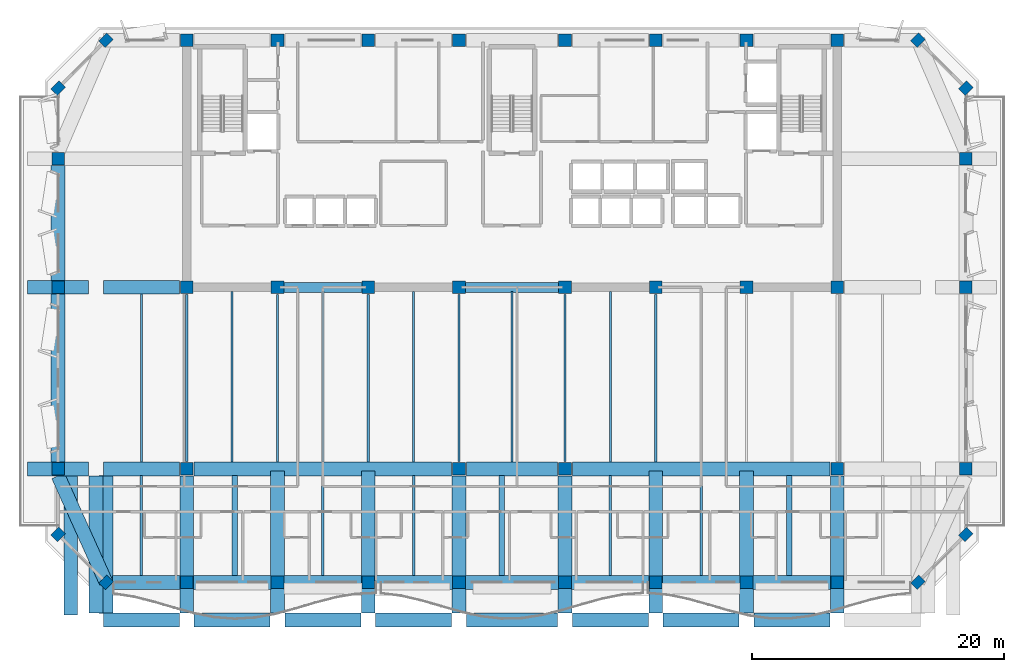
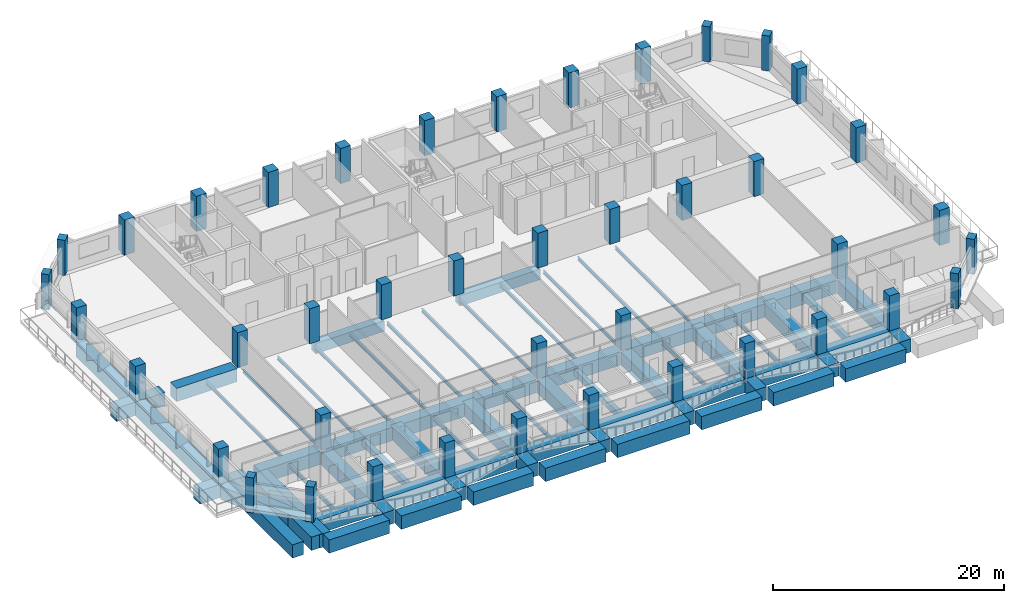
# One storey, part 1 of 13: 59 beams, 42 columns.
"""IFC4 building model written with IfcOpenShell, lengths in metres."""

from ifc_helpers import new_model, si_unit, direction, frame, origin, origin_2d, place, context, subcontext, project, spatial, rectangle, i_section, extrude, material, material_profile, profile_set, type_object, element, save


model = new_model("IFC4")

# Units and contexts
model_context = context("Model", 3, precision=1e-05, world=origin(), true_north=direction((0.0, 1.0)))
body_context = subcontext(model_context, "Body", "Model", "MODEL_VIEW")
ifc_project = project(units=[si_unit("LENGTHUNIT", "METRE"), si_unit("AREAUNIT", "SQUARE_METRE"), si_unit("VOLUMEUNIT", "CUBIC_METRE"), si_unit("PLANEANGLEUNIT", "RADIAN"), si_unit("MASSUNIT", "GRAM", prefix="KILO")], contexts=[model_context])

# Site, building, storey
site_placement = place(None, origin())
site = spatial("IfcSite", under=ifc_project, at=site_placement, CompositionType="ELEMENT")
building_placement = place(site_placement, origin())
building = spatial("IfcBuilding", under=site, at=building_placement, Name="Kaelvorn Grand Hotel", CompositionType="ELEMENT")
storey_placement = place(building_placement, frame((0.0, 0.0, 229.14990234375)))
storey = spatial("IfcBuildingStorey", under=building, at=storey_placement, Name="L56", CompositionType="ELEMENT", Elevation=229.14990234375)

# Columns
ifc_material_1 = material(Name="Concrete C60/75", Category="concrete")
ifc_material_profile_1 = material_profile(ifc_material_1, rectangle(XDim=0.89990234375, YDim=0.75, at=origin_2d()), Name="RC PILASTER 900x750")
ifc_profile_set_1 = profile_set([ifc_material_profile_1], Name="Concrete C60/75")
column_type_1 = type_object("IfcColumnType", Name="COL-PIL-900x750-C60", PredefinedType="PILASTER", material=ifc_profile_set_1)
for number, where, z_axis, x_axis, name in (
    (1, (9.800048828125, 6.0, 0.0), (0.0, 0.0, 1.0), (0.707106781187, 0.707106781187, 0.0), "L56 Structural Column CH-01"),
    (2, (74.199951171875, 6.0, 0.0), (0.0, 0.0, 1.0), (0.707106781187, 0.707106781187, 0.0), "L56 Structural Column CH-02"),
    (3, (78.0, 9.800048828125, 0.0), (0.0, 0.0, 1.0), (0.707106781187, 0.707106781187, 0.0), "L56 Structural Column CH-03"),
    (4, (78.0, 45.199951171875, 0.0), (0.0, 0.0, 1.0), (0.707106781187, 0.707106781187, 0.0), "L56 Structural Column CH-04"),
    (5, (74.199951171875, 49.0, 0.0), (0.0, 0.0, 1.0), (0.707106781187, 0.707106781187, 0.0), "L56 Structural Column CH-05"),
    (6, (9.800048828125, 49.0, 0.0), (0.0, 0.0, 1.0), (0.707106781187, 0.707106781187, 0.0), "L56 Structural Column CH-06"),
    (7, (6.0, 45.199951171875, 0.0), (0.0, 0.0, 1.0), (0.707106781187, 0.707106781187, 0.0), "L56 Structural Column CH-07"),
    (8, (6.0, 9.800048828125, 0.0), (0.0, 0.0, 1.0), (0.707106781187, 0.707106781187, 0.0), "L56 Structural Column CH-08"),
):
    element("IfcColumn", number, at=place(storey_placement, frame(where, z_axis=z_axis, x_axis=x_axis)), inside=storey, type_object=column_type_1, Name=name, PredefinedType="PILASTER", context=body_context, shape_type="SweptSolid", body=[
        extrude(rectangle(XDim=0.89990234375, YDim=0.75, at=origin_2d()), origin(), (0.0, 0.0, 1.0), 3.710205078125),
    ])
ifc_material_2 = material(Name="Concrete C50/60", Category="concrete")
ifc_material_profile_2 = material_profile(ifc_material_2, rectangle(XDim=1.0, YDim=1.0, at=origin_2d()), Name="RC COL 1000x1000")
ifc_profile_set_2 = profile_set([ifc_material_profile_2], Name="Concrete C50/60")
column_type_2 = type_object("IfcColumnType", Name="COL-RC-1000-C50", PredefinedType="COLUMN", material=ifc_profile_set_2)
for number, where, z_axis, x_axis, name in (
    (9, (16.199951171875, 6.0, 0.0), (0.0, 0.0, 1.0), (1.0, 0.0, 0.0), "L56 Structural Column S-01"),
    (10, (23.39990234375, 6.0, 0.0), (0.0, 0.0, 1.0), (1.0, 0.0, 0.0), "L56 Structural Column S-02"),
    (11, (30.60009765625, 6.0, 0.0), (0.0, 0.0, 1.0), (1.0, 0.0, 0.0), "L56 Structural Column S-03"),
    (12, (37.800048828125, 6.0, 0.0), (0.0, 0.0, 1.0), (1.0, 0.0, 0.0), "L56 Structural Column S-04"),
    (13, (46.199951171875, 6.0, 0.0), (0.0, 0.0, 1.0), (1.0, 0.0, 0.0), "L56 Structural Column S-05"),
    (14, (53.39990234375, 6.0, 0.0), (0.0, 0.0, 1.0), (1.0, 0.0, 0.0), "L56 Structural Column S-06"),
    (15, (60.60009765625, 6.0, 0.0), (0.0, 0.0, 1.0), (1.0, 0.0, 0.0), "L56 Structural Column S-07"),
    (16, (67.800048828125, 6.0, 0.0), (0.0, 0.0, 1.0), (1.0, 0.0, 0.0), "L56 Structural Column S-08"),
    (17, (6.0, 15.0, 0.0), (0.0, 0.0, 1.0), (1.0, 0.0, 0.0), "L56 Structural Column W-01"),
    (18, (78.0, 15.0, 0.0), (0.0, 0.0, 1.0), (1.0, 0.0, 0.0), "L56 Structural Column E-01"),
    (19, (6.0, 29.39990234375, 0.0), (0.0, 0.0, 1.0), (1.0, 0.0, 0.0), "L56 Structural Column W-02"),
    (20, (78.0, 29.39990234375, 0.0), (0.0, 0.0, 1.0), (1.0, 0.0, 0.0), "L56 Structural Column E-02"),
    (21, (6.0, 39.60009765625, 0.0), (0.0, 0.0, 1.0), (1.0, 0.0, 0.0), "L56 Structural Column W-03"),
    (22, (78.0, 39.60009765625, 0.0), (0.0, 0.0, 1.0), (1.0, 0.0, 0.0), "L56 Structural Column E-03"),
    (23, (16.199951171875, 15.0, 0.0), (0.0, 0.0, 1.0), (1.0, 0.0, 0.0), "L56 Structural Column M-01"),
    (24, (37.800048828125, 15.0, 0.0), (0.0, 0.0, 1.0), (1.0, 0.0, 0.0), "L56 Structural Column M-02"),
    (25, (46.199951171875, 15.0, 0.0), (0.0, 0.0, 1.0), (1.0, 0.0, 0.0), "L56 Structural Column M-03"),
    (26, (67.800048828125, 15.0, 0.0), (0.0, 0.0, 1.0), (1.0, 0.0, 0.0), "L56 Structural Column M-04"),
    (27, (16.199951171875, 29.39990234375, 0.0), (0.0, 0.0, 1.0), (1.0, 0.0, 0.0), "L56 Structural Column CR1-01"),
    (28, (16.199951171875, 49.0, 0.0), (0.0, 0.0, 1.0), (1.0, 0.0, 0.0), "L56 Structural Column CR2-01"),
    (29, (23.39990234375, 29.39990234375, 0.0), (0.0, 0.0, 1.0), (1.0, 0.0, 0.0), "L56 Structural Column CR1-02"),
    (30, (23.39990234375, 49.0, 0.0), (0.0, 0.0, 1.0), (1.0, 0.0, 0.0), "L56 Structural Column CR2-02"),
    (31, (30.60009765625, 29.39990234375, 0.0), (0.0, 0.0, 1.0), (1.0, 0.0, 0.0), "L56 Structural Column CR1-03"),
    (32, (30.60009765625, 49.0, 0.0), (0.0, 0.0, 1.0), (1.0, 0.0, 0.0), "L56 Structural Column CR2-03"),
    (33, (37.800048828125, 29.39990234375, 0.0), (0.0, 0.0, 1.0), (1.0, 0.0, 0.0), "L56 Structural Column CR1-04"),
    (34, (37.800048828125, 49.0, 0.0), (0.0, 0.0, 1.0), (1.0, 0.0, 0.0), "L56 Structural Column CR2-04"),
    (35, (46.199951171875, 29.39990234375, 0.0), (0.0, 0.0, 1.0), (1.0, 0.0, 0.0), "L56 Structural Column CR1-05"),
    (36, (46.199951171875, 49.0, 0.0), (0.0, 0.0, 1.0), (1.0, 0.0, 0.0), "L56 Structural Column CR2-05"),
    (37, (53.39990234375, 29.39990234375, 0.0), (0.0, 0.0, 1.0), (1.0, 0.0, 0.0), "L56 Structural Column CR1-06"),
    (38, (53.39990234375, 49.0, 0.0), (0.0, 0.0, 1.0), (1.0, 0.0, 0.0), "L56 Structural Column CR2-06"),
    (39, (60.60009765625, 29.39990234375, 0.0), (0.0, 0.0, 1.0), (1.0, 0.0, 0.0), "L56 Structural Column CR1-07"),
    (40, (60.60009765625, 49.0, 0.0), (0.0, 0.0, 1.0), (1.0, 0.0, 0.0), "L56 Structural Column CR2-07"),
    (41, (67.800048828125, 29.39990234375, 0.0), (0.0, 0.0, 1.0), (1.0, 0.0, 0.0), "L56 Structural Column CR1-08"),
    (42, (67.800048828125, 49.0, 0.0), (0.0, 0.0, 1.0), (1.0, 0.0, 0.0), "L56 Structural Column CR2-08"),
):
    element("IfcColumn", number, at=place(storey_placement, frame(where, z_axis=z_axis, x_axis=x_axis)), inside=storey, type_object=column_type_2, Name=name, PredefinedType="COLUMN", context=body_context, shape_type="SweptSolid", body=[
        extrude(rectangle(XDim=1.0, YDim=1.0, at=origin_2d()), origin(), (0.0, 0.0, 1.0), 3.710205078125),
    ])

# Beams
ifc_material_3 = material(Name="Steel S355", Category="steel")
ifc_material_profile_3 = material_profile(ifc_material_3, i_section(OverallWidth=0.169921875, OverallDepth=0.360107421875, WebThickness=0.008056640625, FlangeThickness=0.0126953125, FilletRadius=0.01806640625, at=origin_2d()), Name="IPE 360")
ifc_profile_set_3 = profile_set([ifc_material_profile_3], Name="Steel S355")
beam_type_1 = type_object("IfcBeamType", Name="BM-J-IPE360-S355", PredefinedType="JOIST", material=ifc_profile_set_3)
beam_1_placement = place(storey_placement, frame((12.60009765625, 15.534912109375, -0.419921875), z_axis=(0.0, 1.0, 0.0), x_axis=(-1.0, 0.0, 0.0)))
element("IfcBeam", 43, at=beam_1_placement, inside=storey, type_object=beam_type_1, Name="L56 Composite Floor Joist JM-04", PredefinedType="JOIST", context=body_context, shape_type="SweptSolid", body=[
    extrude(i_section(OverallWidth=0.169921875, OverallDepth=0.360107421875, WebThickness=0.008056640625, FlangeThickness=0.0126953125, FilletRadius=0.01806640625, at=origin_2d()), origin(), (0.0, 0.0, 1.0), 13.330078125),
])
beam_2_placement = place(storey_placement, frame((16.199951171875, 15.5849609375, -0.419921875), z_axis=(0.0, 1.0, 0.0), x_axis=(-1.0, 0.0, 0.0)))
element("IfcBeam", 44, at=beam_2_placement, inside=storey, type_object=beam_type_1, Name="L56 Composite Floor Joist JM-05", PredefinedType="JOIST", context=body_context, shape_type="SweptSolid", body=[
    extrude(i_section(OverallWidth=0.169921875, OverallDepth=0.360107421875, WebThickness=0.008056640625, FlangeThickness=0.0126953125, FilletRadius=0.01806640625, at=origin_2d()), origin(), (0.0, 0.0, 1.0), 13.22998046875),
])
beam_3_placement = place(storey_placement, frame((19.800048828125, 15.534912109375, -0.419921875), z_axis=(0.0, 1.0, 0.0), x_axis=(-1.0, 0.0, 0.0)))
element("IfcBeam", 45, at=beam_3_placement, inside=storey, type_object=beam_type_1, Name="L56 Composite Floor Joist JM-06", PredefinedType="JOIST", context=body_context, shape_type="SweptSolid", body=[
    extrude(i_section(OverallWidth=0.169921875, OverallDepth=0.360107421875, WebThickness=0.008056640625, FlangeThickness=0.0126953125, FilletRadius=0.01806640625, at=origin_2d()), origin(), (0.0, 0.0, 1.0), 13.525146484375),
])
beam_4_placement = place(storey_placement, frame((23.39990234375, 15.534912109375, -0.419921875), z_axis=(0.0, 1.0, 0.0), x_axis=(-1.0, 0.0, 0.0)))
element("IfcBeam", 46, at=beam_4_placement, inside=storey, type_object=beam_type_1, Name="L56 Composite Floor Joist JM-07", PredefinedType="JOIST", context=body_context, shape_type="SweptSolid", body=[
    extrude(i_section(OverallWidth=0.169921875, OverallDepth=0.360107421875, WebThickness=0.008056640625, FlangeThickness=0.0126953125, FilletRadius=0.01806640625, at=origin_2d()), origin(), (0.0, 0.0, 1.0), 13.280029296875),
])
beam_5_placement = place(storey_placement, frame((27.0, 15.534912109375, -0.419921875), z_axis=(0.0, 1.0, 0.0), x_axis=(-1.0, 0.0, 0.0)))
element("IfcBeam", 47, at=beam_5_placement, inside=storey, type_object=beam_type_1, Name="L56 Composite Floor Joist JM-08", PredefinedType="JOIST", context=body_context, shape_type="SweptSolid", body=[
    extrude(i_section(OverallWidth=0.169921875, OverallDepth=0.360107421875, WebThickness=0.008056640625, FlangeThickness=0.0126953125, FilletRadius=0.01806640625, at=origin_2d()), origin(), (0.0, 0.0, 1.0), 13.525146484375),
])
beam_6_placement = place(storey_placement, frame((30.60009765625, 15.534912109375, -0.419921875), z_axis=(0.0, 1.0, 0.0), x_axis=(-1.0, 0.0, 0.0)))
element("IfcBeam", 48, at=beam_6_placement, inside=storey, type_object=beam_type_1, Name="L56 Composite Floor Joist JM-09", PredefinedType="JOIST", context=body_context, shape_type="SweptSolid", body=[
    extrude(i_section(OverallWidth=0.169921875, OverallDepth=0.360107421875, WebThickness=0.008056640625, FlangeThickness=0.0126953125, FilletRadius=0.01806640625, at=origin_2d()), origin(), (0.0, 0.0, 1.0), 13.280029296875),
])
beam_7_placement = place(storey_placement, frame((34.199951171875, 15.534912109375, -0.419921875), z_axis=(0.0, 1.0, 0.0), x_axis=(-1.0, 0.0, 0.0)))
element("IfcBeam", 49, at=beam_7_placement, inside=storey, type_object=beam_type_1, Name="L56 Composite Floor Joist JM-10", PredefinedType="JOIST", context=body_context, shape_type="SweptSolid", body=[
    extrude(i_section(OverallWidth=0.169921875, OverallDepth=0.360107421875, WebThickness=0.008056640625, FlangeThickness=0.0126953125, FilletRadius=0.01806640625, at=origin_2d()), origin(), (0.0, 0.0, 1.0), 13.525146484375),
])
beam_8_placement = place(storey_placement, frame((37.800048828125, 15.5849609375, -0.419921875), z_axis=(0.0, 1.0, 0.0), x_axis=(-1.0, 0.0, 0.0)))
element("IfcBeam", 50, at=beam_8_placement, inside=storey, type_object=beam_type_1, Name="L56 Composite Floor Joist JM-11", PredefinedType="JOIST", context=body_context, shape_type="SweptSolid", body=[
    extrude(i_section(OverallWidth=0.169921875, OverallDepth=0.360107421875, WebThickness=0.008056640625, FlangeThickness=0.0126953125, FilletRadius=0.01806640625, at=origin_2d()), origin(), (0.0, 0.0, 1.0), 13.22998046875),
])
beam_9_placement = place(storey_placement, frame((42.0, 15.534912109375, -0.419921875), z_axis=(0.0, 1.0, 0.0), x_axis=(-1.0, 0.0, 0.0)))
element("IfcBeam", 51, at=beam_9_placement, inside=storey, type_object=beam_type_1, Name="L56 Composite Floor Joist JM-12", PredefinedType="JOIST", context=body_context, shape_type="SweptSolid", body=[
    extrude(i_section(OverallWidth=0.169921875, OverallDepth=0.360107421875, WebThickness=0.008056640625, FlangeThickness=0.0126953125, FilletRadius=0.01806640625, at=origin_2d()), origin(), (0.0, 0.0, 1.0), 13.525146484375),
])
beam_10_placement = place(storey_placement, frame((46.199951171875, 15.5849609375, -0.419921875), z_axis=(0.0, 1.0, 0.0), x_axis=(-1.0, 0.0, 0.0)))
element("IfcBeam", 52, at=beam_10_placement, inside=storey, type_object=beam_type_1, Name="L56 Composite Floor Joist JM-13", PredefinedType="JOIST", context=body_context, shape_type="SweptSolid", body=[
    extrude(i_section(OverallWidth=0.169921875, OverallDepth=0.360107421875, WebThickness=0.008056640625, FlangeThickness=0.0126953125, FilletRadius=0.01806640625, at=origin_2d()), origin(), (0.0, 0.0, 1.0), 13.22998046875),
])
beam_11_placement = place(storey_placement, frame((49.800048828125, 15.534912109375, -0.419921875), z_axis=(0.0, 1.0, 0.0), x_axis=(-1.0, 0.0, 0.0)))
element("IfcBeam", 53, at=beam_11_placement, inside=storey, type_object=beam_type_1, Name="L56 Composite Floor Joist JM-14", PredefinedType="JOIST", context=body_context, shape_type="SweptSolid", body=[
    extrude(i_section(OverallWidth=0.169921875, OverallDepth=0.360107421875, WebThickness=0.008056640625, FlangeThickness=0.0126953125, FilletRadius=0.01806640625, at=origin_2d()), origin(), (0.0, 0.0, 1.0), 13.525146484375),
])
beam_12_placement = place(storey_placement, frame((53.39990234375, 15.534912109375, -0.419921875), z_axis=(0.0, 1.0, 0.0), x_axis=(-1.0, 0.0, 0.0)))
element("IfcBeam", 54, at=beam_12_placement, inside=storey, type_object=beam_type_1, Name="L56 Composite Floor Joist JM-15", PredefinedType="JOIST", context=body_context, shape_type="SweptSolid", body=[
    extrude(i_section(OverallWidth=0.169921875, OverallDepth=0.360107421875, WebThickness=0.008056640625, FlangeThickness=0.0126953125, FilletRadius=0.01806640625, at=origin_2d()), origin(), (0.0, 0.0, 1.0), 13.280029296875),
])
ifc_material_profile_4 = material_profile(ifc_material_3, i_section(OverallWidth=0.18994140625, OverallDepth=0.449951171875, WebThickness=0.009521484375, FlangeThickness=0.0146484375, FilletRadius=0.02099609375, at=origin_2d()), Name="IPE 450")
ifc_profile_set_4 = profile_set([ifc_material_profile_4], Name="Steel S355")
beam_type_2 = type_object("IfcBeamType", Name="BM-J-IPE450-S355", PredefinedType="JOIST", material=ifc_profile_set_4)
for number, where, z_axis, x_axis, name in (
    (55, (12.60009765625, 6.534912109375, -0.46484375), (0.0, 1.0, 0.0), (-1.0, 0.0, 0.0), "L56 Composite Floor Joist JS-04"),
    (56, (27.0, 6.534912109375, -0.46484375), (0.0, 1.0, 0.0), (-1.0, 0.0, 0.0), "L56 Composite Floor Joist JS-08"),
    (57, (34.199951171875, 6.534912109375, -0.46484375), (0.0, 1.0, 0.0), (-1.0, 0.0, 0.0), "L56 Composite Floor Joist JS-10"),
    (58, (49.800048828125, 6.534912109375, -0.46484375), (0.0, 1.0, 0.0), (-1.0, 0.0, 0.0), "L56 Composite Floor Joist JS-14"),
    (59, (57.0, 6.534912109375, -0.46484375), (0.0, 1.0, 0.0), (-1.0, 0.0, 0.0), "L56 Composite Floor Joist JS-16"),
):
    element("IfcBeam", number, at=place(storey_placement, frame(where, z_axis=z_axis, x_axis=x_axis)), inside=storey, type_object=beam_type_2, Name=name, PredefinedType="JOIST", context=body_context, shape_type="SweptSolid", body=[
        extrude(i_section(OverallWidth=0.18994140625, OverallDepth=0.449951171875, WebThickness=0.009521484375, FlangeThickness=0.0146484375, FilletRadius=0.02099609375, at=origin_2d()), origin(), (0.0, 0.0, 1.0), 7.93017578125),
    ])
ifc_material_profile_5 = material_profile(ifc_material_1, rectangle(XDim=0.800048828125, YDim=1.10009765625, at=origin_2d()), Name="RC LINTEL 800x1100")
ifc_profile_set_5 = profile_set([ifc_material_profile_5], Name="Concrete C60/75")
beam_type_3 = type_object("IfcBeamType", Name="BM-LIN-800x1100-C60", PredefinedType="LINTEL", material=ifc_profile_set_5)
beam_13_placement = place(storey_placement, frame((23.580078125, 29.39990234375, -0.789794921875), z_axis=(1.0, 0.0, 0.0), x_axis=(0.0, 1.0, 0.0)))
element("IfcBeam", 60, at=beam_13_placement, inside=storey, type_object=beam_type_3, Name="L56 Rear-Core Coupling Lintel Beam CB1-01", PredefinedType="LINTEL", context=body_context, shape_type="SweptSolid", body=[
    extrude(rectangle(XDim=0.800048828125, YDim=1.10009765625, at=origin_2d()), origin(), (0.0, 0.0, 1.0), 6.83984375),
])
beam_14_placement = place(storey_placement, frame((37.97998046875, 29.39990234375, -0.789794921875), z_axis=(1.0, 0.0, 0.0), x_axis=(0.0, 1.0, 0.0)))
element("IfcBeam", 61, at=beam_14_placement, inside=storey, type_object=beam_type_3, Name="L56 Rear-Core Coupling Lintel Beam CB1-02", PredefinedType="LINTEL", context=body_context, shape_type="SweptSolid", body=[
    extrude(rectangle(XDim=0.800048828125, YDim=1.10009765625, at=origin_2d()), origin(), (0.0, 0.0, 1.0), 8.0400390625),
])
ifc_material_4 = material(Name="Concrete C40/50", Category="concrete")
ifc_material_profile_6 = material_profile(ifc_material_4, rectangle(XDim=0.449951171875, YDim=0.64990234375, at=origin_2d()), Name="RC RIB 450x650")
ifc_profile_set_6 = profile_set([ifc_material_profile_6], Name="Concrete C40/50")
beam_type_4 = type_object("IfcBeamType", Name="BM-RIB-450x650-C40", PredefinedType="SPANDREL", material=ifc_profile_set_6)
for number, where, z_axis, x_axis, name in (
    (62, (20.0, 6.534912109375, -0.544921875), (0.0, 1.0, 0.0), (-1.0, 0.0, 0.0), "L56 Cantilevered Balcony Back-Span Rib RB1-1"),
    (63, (41.199951171875, 6.534912109375, -0.544921875), (0.0, 1.0, 0.0), (-1.0, 0.0, 0.0), "L56 Cantilevered Balcony Back-Span Rib RB1-2"),
    (64, (64.0, 6.534912109375, -0.544921875), (0.0, 1.0, 0.0), (-1.0, 0.0, 0.0), "L56 Cantilevered Balcony Back-Span Rib RB1-3"),
):
    element("IfcBeam", number, at=place(storey_placement, frame(where, z_axis=z_axis, x_axis=x_axis)), inside=storey, type_object=beam_type_4, Name=name, PredefinedType="SPANDREL", context=body_context, shape_type="SweptSolid", body=[
        extrude(rectangle(XDim=0.449951171875, YDim=0.64990234375, at=origin_2d()), origin(), (0.0, 0.0, 1.0), 7.925048828125),
    ])
ifc_material_profile_7 = material_profile(ifc_material_1, rectangle(XDim=1.10009765625, YDim=1.39990234375, at=origin_2d()), Name="RC TG 1100x1400")
ifc_profile_set_7 = profile_set([ifc_material_profile_7], Name="Concrete C60/75")
beam_type_5 = type_object("IfcBeamType", Name="BM-TG-1100x1400-C60", PredefinedType="USERDEFINED", material=ifc_profile_set_7)
beam_15_placement = place(storey_placement, frame((3.5849609375, 15.0, -0.699951171875), z_axis=(1.0, 0.0, 0.0), x_axis=(0.0, 1.0, 0.0)))
element("IfcBeam", 65, at=beam_15_placement, inside=storey, type_object=beam_type_5, Name="L56 Setback Spine Transfer Girder TG2-M15 01", ObjectType="TRANSFER GIRDER", PredefinedType="USERDEFINED", context=body_context, shape_type="SweptSolid", body=[
    extrude(rectangle(XDim=1.10009765625, YDim=1.39990234375, at=origin_2d()), origin(), (0.0, 0.0, 1.0), 4.830078125),
])
beam_16_placement = place(storey_placement, frame((9.5849609375, 15.0, -0.699951171875), z_axis=(1.0, 0.0, 0.0), x_axis=(0.0, 1.0, 0.0)))
element("IfcBeam", 66, at=beam_16_placement, inside=storey, type_object=beam_type_5, Name="L56 Setback Spine Transfer Girder TG2-M15 02", ObjectType="TRANSFER GIRDER", PredefinedType="USERDEFINED", context=body_context, shape_type="SweptSolid", body=[
    extrude(rectangle(XDim=1.10009765625, YDim=1.39990234375, at=origin_2d()), origin(), (0.0, 0.0, 1.0), 6.030029296875),
])
beam_17_placement = place(storey_placement, frame((16.784912109375, 15.0, -0.699951171875), z_axis=(1.0, 0.0, 0.0), x_axis=(0.0, 1.0, 0.0)))
element("IfcBeam", 67, at=beam_17_placement, inside=storey, type_object=beam_type_5, Name="L56 Setback Spine Transfer Girder TG2-M15 03", ObjectType="TRANSFER GIRDER", PredefinedType="USERDEFINED", context=body_context, shape_type="SweptSolid", body=[
    extrude(rectangle(XDim=1.10009765625, YDim=1.39990234375, at=origin_2d()), origin(), (0.0, 0.0, 1.0), 20.43017578125),
])
beam_18_placement = place(storey_placement, frame((38.385009765625, 15.0, -0.699951171875), z_axis=(1.0, 0.0, 0.0), x_axis=(0.0, 1.0, 0.0)))
element("IfcBeam", 68, at=beam_18_placement, inside=storey, type_object=beam_type_5, Name="L56 Setback Spine Transfer Girder TG2-M15 04", ObjectType="TRANSFER GIRDER", PredefinedType="USERDEFINED", context=body_context, shape_type="SweptSolid", body=[
    extrude(rectangle(XDim=1.10009765625, YDim=1.39990234375, at=origin_2d()), origin(), (0.0, 0.0, 1.0), 7.22998046875),
])
beam_19_placement = place(storey_placement, frame((46.784912109375, 15.0, -0.699951171875), z_axis=(1.0, 0.0, 0.0), x_axis=(0.0, 1.0, 0.0)))
element("IfcBeam", 69, at=beam_19_placement, inside=storey, type_object=beam_type_5, Name="L56 Setback Spine Transfer Girder TG2-M15 05", ObjectType="TRANSFER GIRDER", PredefinedType="USERDEFINED", context=body_context, shape_type="SweptSolid", body=[
    extrude(rectangle(XDim=1.10009765625, YDim=1.39990234375, at=origin_2d()), origin(), (0.0, 0.0, 1.0), 20.43017578125),
])
beam_20_placement = place(storey_placement, frame((7.0, 3.405029296875, -0.699951171875), z_axis=(0.0, 1.0, 0.0), x_axis=(-1.0, 0.0, 0.0)))
element("IfcBeam", 70, at=beam_20_placement, inside=storey, type_object=beam_type_5, Name="L56 Setback Radial Transfer Girder TG2-S01 01", ObjectType="TRANSFER GIRDER", PredefinedType="USERDEFINED", context=body_context, shape_type="SweptSolid", body=[
    extrude(rectangle(XDim=1.10009765625, YDim=1.39990234375, at=origin_2d()), origin(), (0.0, 0.0, 1.0), 11.409912109375),
])
for number, where, z_axis, x_axis, name in (
    (71, (9.0, 3.5849609375, -0.699951171875), (0.0, 1.0, 0.0), (-1.0, 0.0, 0.0), "L56 Setback Radial Transfer Girder TG2-S02 01"),
    (72, (16.199951171875, 3.5849609375, -0.699951171875), (0.0, 1.0, 0.0), (-1.0, 0.0, 0.0), "L56 Setback Radial Transfer Girder TG2-S03 01"),
):
    element("IfcBeam", number, at=place(storey_placement, frame(where, z_axis=z_axis, x_axis=x_axis)), inside=storey, type_object=beam_type_5, Name=name, ObjectType="TRANSFER GIRDER", PredefinedType="USERDEFINED", context=body_context, shape_type="SweptSolid", body=[
        extrude(rectangle(XDim=1.10009765625, YDim=1.39990234375, at=origin_2d()), origin(), (0.0, 0.0, 1.0), 10.830078125),
    ])
for number, where, z_axis, x_axis, name in (
    (73, (23.39990234375, 3.5849609375, -0.699951171875), (0.0, 1.0, 0.0), (-1.0, 0.0, 0.0), "L56 Setback Radial Transfer Girder TG2-S04 01"),
    (74, (30.60009765625, 3.5849609375, -0.699951171875), (0.0, 1.0, 0.0), (-1.0, 0.0, 0.0), "L56 Setback Radial Transfer Girder TG2-S05 01"),
):
    element("IfcBeam", number, at=place(storey_placement, frame(where, z_axis=z_axis, x_axis=x_axis)), inside=storey, type_object=beam_type_5, Name=name, ObjectType="TRANSFER GIRDER", PredefinedType="USERDEFINED", context=body_context, shape_type="SweptSolid", body=[
        extrude(rectangle(XDim=1.10009765625, YDim=1.39990234375, at=origin_2d()), origin(), (0.0, 0.0, 1.0), 11.22998046875),
    ])
for number, where, z_axis, x_axis, name in (
    (75, (37.800048828125, 3.5849609375, -0.699951171875), (0.0, 1.0, 0.0), (-1.0, 0.0, 0.0), "L56 Setback Radial Transfer Girder TG2-S06 01"),
    (76, (46.199951171875, 3.5849609375, -0.699951171875), (0.0, 1.0, 0.0), (-1.0, 0.0, 0.0), "L56 Setback Radial Transfer Girder TG2-S07 01"),
):
    element("IfcBeam", number, at=place(storey_placement, frame(where, z_axis=z_axis, x_axis=x_axis)), inside=storey, type_object=beam_type_5, Name=name, ObjectType="TRANSFER GIRDER", PredefinedType="USERDEFINED", context=body_context, shape_type="SweptSolid", body=[
        extrude(rectangle(XDim=1.10009765625, YDim=1.39990234375, at=origin_2d()), origin(), (0.0, 0.0, 1.0), 10.830078125),
    ])
for number, where, z_axis, x_axis, name in (
    (77, (53.39990234375, 3.5849609375, -0.699951171875), (0.0, 1.0, 0.0), (-1.0, 0.0, 0.0), "L56 Setback Radial Transfer Girder TG2-S08 01"),
    (78, (60.60009765625, 3.5849609375, -0.699951171875), (0.0, 1.0, 0.0), (-1.0, 0.0, 0.0), "L56 Setback Radial Transfer Girder TG2-S09 01"),
):
    element("IfcBeam", number, at=place(storey_placement, frame(where, z_axis=z_axis, x_axis=x_axis)), inside=storey, type_object=beam_type_5, Name=name, ObjectType="TRANSFER GIRDER", PredefinedType="USERDEFINED", context=body_context, shape_type="SweptSolid", body=[
        extrude(rectangle(XDim=1.10009765625, YDim=1.39990234375, at=origin_2d()), origin(), (0.0, 0.0, 1.0), 11.22998046875),
    ])
beam_21_placement = place(storey_placement, frame((67.800048828125, 3.5849609375, -0.699951171875), z_axis=(0.0, 1.0, 0.0), x_axis=(-1.0, 0.0, 0.0)))
element("IfcBeam", 79, at=beam_21_placement, inside=storey, type_object=beam_type_5, Name="L56 Setback Radial Transfer Girder TG2-S10 01", ObjectType="TRANSFER GIRDER", PredefinedType="USERDEFINED", context=body_context, shape_type="SweptSolid", body=[
    extrude(rectangle(XDim=1.10009765625, YDim=1.39990234375, at=origin_2d()), origin(), (0.0, 0.0, 1.0), 10.830078125),
])
beam_22_placement = place(storey_placement, frame((3.5849609375, 29.39990234375, -0.699951171875), z_axis=(1.0, 0.0, 0.0), x_axis=(0.0, 1.0, 0.0)))
element("IfcBeam", 80, at=beam_22_placement, inside=storey, type_object=beam_type_5, Name="L56 Setback Radial Transfer Girder TG2-W01 01", ObjectType="TRANSFER GIRDER", PredefinedType="USERDEFINED", context=body_context, shape_type="SweptSolid", body=[
    extrude(rectangle(XDim=1.10009765625, YDim=1.39990234375, at=origin_2d()), origin(), (0.0, 0.0, 1.0), 4.830078125),
])
for number, where, z_axis, x_axis, name in (
    (81, (9.5849609375, 29.39990234375, -0.699951171875), (1.0, 0.0, 0.0), (0.0, 1.0, 0.0), "L56 Setback Radial Transfer Girder TG2-W01 02"),
    (82, (9.5849609375, 3.0, -0.699951171875), (1.0, 0.0, 0.0), (0.0, 1.0, 0.0), "L56 Setback Outer South Transfer Girder 02"),
    (83, (16.784912109375, 3.0, -0.699951171875), (1.0, 0.0, 0.0), (0.0, 1.0, 0.0), "L56 Setback Outer South Transfer Girder 03"),
):
    element("IfcBeam", number, at=place(storey_placement, frame(where, z_axis=z_axis, x_axis=x_axis)), inside=storey, type_object=beam_type_5, Name=name, ObjectType="TRANSFER GIRDER", PredefinedType="USERDEFINED", context=body_context, shape_type="SweptSolid", body=[
        extrude(rectangle(XDim=1.10009765625, YDim=1.39990234375, at=origin_2d()), origin(), (0.0, 0.0, 1.0), 6.030029296875),
    ])
beam_23_placement = place(storey_placement, frame((23.985107421875, 3.0, -0.699951171875), z_axis=(1.0, 0.0, 0.0), x_axis=(0.0, 1.0, 0.0)))
element("IfcBeam", 84, at=beam_23_placement, inside=storey, type_object=beam_type_5, Name="L56 Setback Outer South Transfer Girder 04", ObjectType="TRANSFER GIRDER", PredefinedType="USERDEFINED", context=body_context, shape_type="SweptSolid", body=[
    extrude(rectangle(XDim=1.10009765625, YDim=1.39990234375, at=origin_2d()), origin(), (0.0, 0.0, 1.0), 6.02978515625),
])
beam_24_placement = place(storey_placement, frame((31.18505859375, 3.0, -0.699951171875), z_axis=(1.0, 0.0, 0.0), x_axis=(0.0, 1.0, 0.0)))
element("IfcBeam", 85, at=beam_24_placement, inside=storey, type_object=beam_type_5, Name="L56 Setback Outer South Transfer Girder 05", ObjectType="TRANSFER GIRDER", PredefinedType="USERDEFINED", context=body_context, shape_type="SweptSolid", body=[
    extrude(rectangle(XDim=1.10009765625, YDim=1.39990234375, at=origin_2d()), origin(), (0.0, 0.0, 1.0), 6.030029296875),
])
beam_25_placement = place(storey_placement, frame((38.385009765625, 3.0, -0.699951171875), z_axis=(1.0, 0.0, 0.0), x_axis=(0.0, 1.0, 0.0)))
element("IfcBeam", 86, at=beam_25_placement, inside=storey, type_object=beam_type_5, Name="L56 Setback Outer South Transfer Girder 06", ObjectType="TRANSFER GIRDER", PredefinedType="USERDEFINED", context=body_context, shape_type="SweptSolid", body=[
    extrude(rectangle(XDim=1.10009765625, YDim=1.39990234375, at=origin_2d()), origin(), (0.0, 0.0, 1.0), 7.22998046875),
])
beam_26_placement = place(storey_placement, frame((46.784912109375, 3.0, -0.699951171875), z_axis=(1.0, 0.0, 0.0), x_axis=(0.0, 1.0, 0.0)))
element("IfcBeam", 87, at=beam_26_placement, inside=storey, type_object=beam_type_5, Name="L56 Setback Outer South Transfer Girder 07", ObjectType="TRANSFER GIRDER", PredefinedType="USERDEFINED", context=body_context, shape_type="SweptSolid", body=[
    extrude(rectangle(XDim=1.10009765625, YDim=1.39990234375, at=origin_2d()), origin(), (0.0, 0.0, 1.0), 6.030029296875),
])
beam_27_placement = place(storey_placement, frame((53.985107421875, 3.0, -0.699951171875), z_axis=(1.0, 0.0, 0.0), x_axis=(0.0, 1.0, 0.0)))
element("IfcBeam", 88, at=beam_27_placement, inside=storey, type_object=beam_type_5, Name="L56 Setback Outer South Transfer Girder 08", ObjectType="TRANSFER GIRDER", PredefinedType="USERDEFINED", context=body_context, shape_type="SweptSolid", body=[
    extrude(rectangle(XDim=1.10009765625, YDim=1.39990234375, at=origin_2d()), origin(), (0.0, 0.0, 1.0), 6.02978515625),
])
beam_28_placement = place(storey_placement, frame((61.18505859375, 3.0, -0.699951171875), z_axis=(1.0, 0.0, 0.0), x_axis=(0.0, 1.0, 0.0)))
element("IfcBeam", 89, at=beam_28_placement, inside=storey, type_object=beam_type_5, Name="L56 Setback Outer South Transfer Girder 09", ObjectType="TRANSFER GIRDER", PredefinedType="USERDEFINED", context=body_context, shape_type="SweptSolid", body=[
    extrude(rectangle(XDim=1.10009765625, YDim=1.39990234375, at=origin_2d()), origin(), (0.0, 0.0, 1.0), 6.030029296875),
])
beam_29_placement = place(storey_placement, frame((9.800048828125, 3.534912109375, -0.699951171875), z_axis=(0.0, 1.0, 0.0), x_axis=(-1.0, 0.0, 0.0)))
element("IfcBeam", 90, at=beam_29_placement, inside=storey, type_object=beam_type_5, Name="L56 Setback Corner Radial Transfer Girder CHW", ObjectType="TRANSFER GIRDER", PredefinedType="USERDEFINED", context=body_context, shape_type="SweptSolid", body=[
    extrude(rectangle(XDim=1.10009765625, YDim=1.39990234375, at=origin_2d()), origin(), (0.0, 0.0, 1.0), 10.93017578125),
])
beam_30_placement = place(storey_placement, frame((10.324951171875, 6.0, -0.699951171875), z_axis=(1.0, 0.0, 0.0), x_axis=(0.0, 1.0, 0.0)))
element("IfcBeam", 91, at=beam_30_placement, inside=storey, type_object=beam_type_5, Name="L56 Setback South Ring Transfer Girder 01", ObjectType="TRANSFER GIRDER", PredefinedType="USERDEFINED", context=body_context, shape_type="SweptSolid", body=[
    extrude(rectangle(XDim=1.10009765625, YDim=1.39990234375, at=origin_2d()), origin(), (0.0, 0.0, 1.0), 5.35009765625),
])
for number, where, z_axis, x_axis, name in (
    (92, (16.72509765625, 6.0, -0.699951171875), (1.0, 0.0, 0.0), (0.0, 1.0, 0.0), "L56 Setback South Ring Transfer Girder 02"),
    (93, (23.925048828125, 6.0, -0.699951171875), (1.0, 0.0, 0.0), (0.0, 1.0, 0.0), "L56 Setback South Ring Transfer Girder 03"),
    (94, (31.125, 6.0, -0.699951171875), (1.0, 0.0, 0.0), (0.0, 1.0, 0.0), "L56 Setback South Ring Transfer Girder 04"),
):
    element("IfcBeam", number, at=place(storey_placement, frame(where, z_axis=z_axis, x_axis=x_axis)), inside=storey, type_object=beam_type_5, Name=name, ObjectType="TRANSFER GIRDER", PredefinedType="USERDEFINED", context=body_context, shape_type="SweptSolid", body=[
        extrude(rectangle(XDim=1.10009765625, YDim=1.39990234375, at=origin_2d()), origin(), (0.0, 0.0, 1.0), 6.14990234375),
    ])
beam_31_placement = place(storey_placement, frame((38.324951171875, 6.0, -0.699951171875), z_axis=(1.0, 0.0, 0.0), x_axis=(0.0, 1.0, 0.0)))
element("IfcBeam", 95, at=beam_31_placement, inside=storey, type_object=beam_type_5, Name="L56 Setback South Ring Transfer Girder 05", ObjectType="TRANSFER GIRDER", PredefinedType="USERDEFINED", context=body_context, shape_type="SweptSolid", body=[
    extrude(rectangle(XDim=1.10009765625, YDim=1.39990234375, at=origin_2d()), origin(), (0.0, 0.0, 1.0), 7.35009765625),
])
for number, where, z_axis, x_axis, name in (
    (96, (46.72509765625, 6.0, -0.699951171875), (1.0, 0.0, 0.0), (0.0, 1.0, 0.0), "L56 Setback South Ring Transfer Girder 06"),
    (97, (53.925048828125, 6.0, -0.699951171875), (1.0, 0.0, 0.0), (0.0, 1.0, 0.0), "L56 Setback South Ring Transfer Girder 07"),
    (98, (61.125, 6.0, -0.699951171875), (1.0, 0.0, 0.0), (0.0, 1.0, 0.0), "L56 Setback South Ring Transfer Girder 08"),
):
    element("IfcBeam", number, at=place(storey_placement, frame(where, z_axis=z_axis, x_axis=x_axis)), inside=storey, type_object=beam_type_5, Name=name, ObjectType="TRANSFER GIRDER", PredefinedType="USERDEFINED", context=body_context, shape_type="SweptSolid", body=[
        extrude(rectangle(XDim=1.10009765625, YDim=1.39990234375, at=origin_2d()), origin(), (0.0, 0.0, 1.0), 6.14990234375),
    ])
beam_32_placement = place(storey_placement, frame((6.0, 15.52490234375, -0.699951171875), z_axis=(0.0, 1.0, 0.0), x_axis=(-1.0, 0.0, 0.0)))
element("IfcBeam", 99, at=beam_32_placement, inside=storey, type_object=beam_type_5, Name="L56 Setback W Ring Transfer Girder 01", ObjectType="TRANSFER GIRDER", PredefinedType="USERDEFINED", context=body_context, shape_type="SweptSolid", body=[
    extrude(rectangle(XDim=1.10009765625, YDim=1.39990234375, at=origin_2d()), origin(), (0.0, 0.0, 1.0), 13.35009765625),
])
beam_33_placement = place(storey_placement, frame((6.0, 29.925048828125, -0.699951171875), z_axis=(0.0, 1.0, 0.0), x_axis=(-1.0, 0.0, 0.0)))
element("IfcBeam", 100, at=beam_33_placement, inside=storey, type_object=beam_type_5, Name="L56 Setback W Ring Transfer Girder 02", ObjectType="TRANSFER GIRDER", PredefinedType="USERDEFINED", context=body_context, shape_type="SweptSolid", body=[
    extrude(rectangle(XDim=1.10009765625, YDim=1.39990234375, at=origin_2d()), origin(), (0.0, 0.0, 1.0), 9.14990234375),
])
beam_34_placement = place(storey_placement, frame((6.0, 14.449951171875, -0.699951171875), z_axis=(0.410146629694, -0.912019595267, 0.0), x_axis=(0.912019595267, 0.410146629694, 0.0)))
element("IfcBeam", 101, at=beam_34_placement, inside=storey, type_object=beam_type_5, Name="L56 Setback Chamfer Transfer Girder 1", ObjectType="TRANSFER GIRDER", PredefinedType="USERDEFINED", context=body_context, shape_type="SweptSolid", body=[
    extrude(rectangle(XDim=1.10009765625, YDim=1.39990234375, at=origin_2d()), origin(), (0.0, 0.0, 1.0), 9.26513671875),
])

save(model, "model.ifc")
